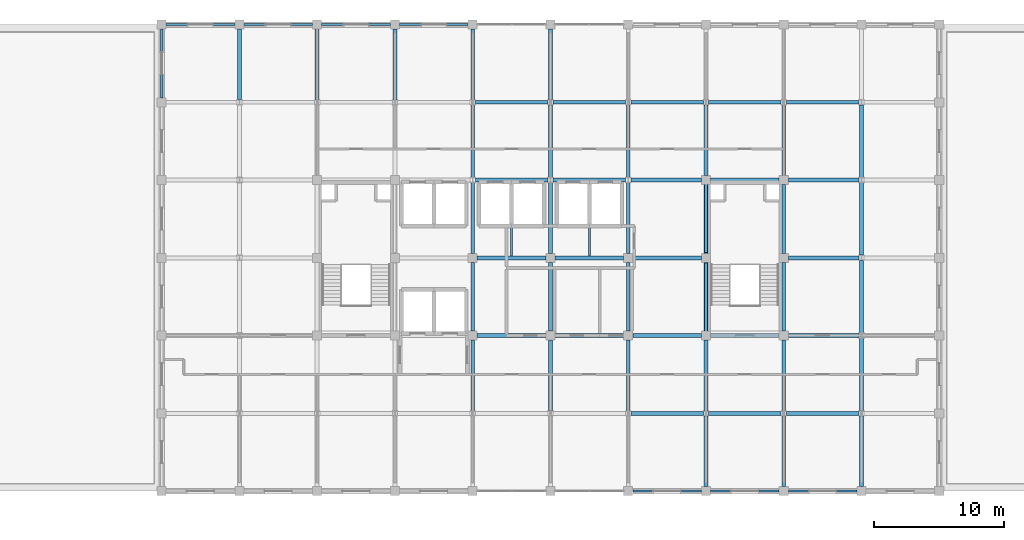
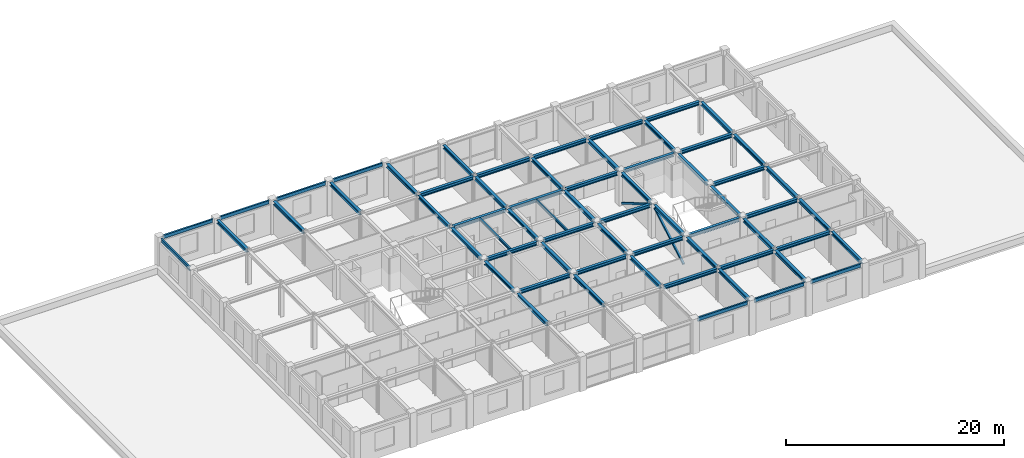
# One storey, part 5 of 13: 64 beams, 2 members.
"""IFC4 building model written with IfcOpenShell, lengths in metres."""

from ifc_helpers import new_model, si_unit, direction, frame, origin, origin_2d, place, context, subcontext, project, spatial, hollow_rectangle, i_section, extrude, material, material_profile, profile_set, type_object, element, save


model = new_model("IFC4")

# Units and contexts
model_context = context("Model", 3, precision=1e-05, world=origin(), true_north=direction((0.0, 1.0)))
body_context = subcontext(model_context, "Body", "Model", "MODEL_VIEW")
ifc_project = project(units=[si_unit("LENGTHUNIT", "METRE"), si_unit("AREAUNIT", "SQUARE_METRE"), si_unit("VOLUMEUNIT", "CUBIC_METRE"), si_unit("PLANEANGLEUNIT", "RADIAN"), si_unit("MASSUNIT", "GRAM", prefix="KILO")], contexts=[model_context])

# Site, building, storey
site_placement = place(None, origin())
site = spatial("IfcSite", under=ifc_project, at=site_placement, CompositionType="ELEMENT")
building_placement = place(site_placement, origin())
building = spatial("IfcBuilding", under=site, at=building_placement, Name="Zlatovratsky Civic Hall", CompositionType="ELEMENT")
storey_placement = place(building_placement, frame((0.0, 0.0, 24.89990234375)))
storey = spatial("IfcBuildingStorey", under=building, at=storey_placement, Name="L06", CompositionType="ELEMENT", Elevation=24.89990234375)

# Beams
ifc_material = material(Name="Steel S355", Category="steel")
ifc_material_profile_1 = material_profile(ifc_material, i_section(OverallWidth=0.169921875, OverallDepth=0.446044921875, WebThickness=0.007568359375, FlangeThickness=0.010986328125, FilletRadius=0.01611328125, at=origin_2d()), Name="45B1")
ifc_profile_set_1 = profile_set([ifc_material_profile_1], Name="Steel S355")
beam_type_1 = type_object("IfcBeamType", Name="Beam_Spandrel_45B1", PredefinedType="SPANDREL", material=ifc_profile_set_1)
for number, where, z_axis, x_axis, name in (
    (1, (90.35009765625, 72.0, 3.51708984375), (1.0, 0.0, 0.0), (0.0, 1.0, 0.0), "BM-4115"),
    (2, (96.35009765625, 72.0, 3.51708984375), (1.0, 0.0, 0.0), (0.0, 1.0, 0.0), "BM-4116"),
    (3, (102.35009765625, 72.0, 3.51708984375), (1.0, 0.0, 0.0), (0.0, 1.0, 0.0), "BM-4117"),
    (4, (54.35009765625, 108.0, 3.51708984375), (1.0, 0.0, 0.0), (0.0, 1.0, 0.0), "BM-4167"),
    (5, (60.35009765625, 108.0, 3.51708984375), (1.0, 0.0, 0.0), (0.0, 1.0, 0.0), "BM-4168"),
    (6, (66.35009765625, 108.0, 3.51708984375), (1.0, 0.0, 0.0), (0.0, 1.0, 0.0), "BM-4169"),
    (7, (72.35009765625, 108.0, 3.51708984375), (1.0, 0.0, 0.0), (0.0, 1.0, 0.0), "BM-4170"),
    (8, (54.0, 102.35009765625, 3.51708984375), (0.0, 1.0, 0.0), (-1.0, 0.0, 0.0), "BM-4182"),
):
    element("IfcBeam", number, at=place(storey_placement, frame(where, z_axis=z_axis, x_axis=x_axis)), inside=storey, type_object=beam_type_1, Name=name, PredefinedType="SPANDREL", context=body_context, shape_type="SweptSolid", body=[
        extrude(i_section(OverallWidth=0.169921875, OverallDepth=0.446044921875, WebThickness=0.007568359375, FlangeThickness=0.010986328125, FilletRadius=0.01611328125, at=origin_2d()), origin(), (0.0, 0.0, 1.0), 5.2998046875),
    ])
ifc_material_profile_2 = material_profile(ifc_material, i_section(OverallWidth=0.300048828125, OverallDepth=0.387939453125, WebThickness=0.009521484375, FlangeThickness=0.013916015625, FilletRadius=0.02197265625, at=origin_2d()), Name="40Sh1")
ifc_profile_set_2 = profile_set([ifc_material_profile_2], Name="Steel S355")
beam_type_2 = type_object("IfcBeamType", Name="Beam_TowerMid_40Sh1", PredefinedType="BEAM", material=ifc_profile_set_2)
for number, where, z_axis, x_axis, name in (
    (9, (90.199951171875, 78.0, 3.546142578125), (1.0, 0.0, 0.0), (0.0, 1.0, 0.0), "BM-4125"),
    (10, (96.199951171875, 78.0, 3.546142578125), (1.0, 0.0, 0.0), (0.0, 1.0, 0.0), "BM-4126"),
    (11, (102.199951171875, 78.0, 3.546142578125), (1.0, 0.0, 0.0), (0.0, 1.0, 0.0), "BM-4127"),
):
    element("IfcBeam", number, at=place(storey_placement, frame(where, z_axis=z_axis, x_axis=x_axis)), inside=storey, type_object=beam_type_2, Name=name, PredefinedType="BEAM", context=body_context, shape_type="SweptSolid", body=[
        extrude(i_section(OverallWidth=0.300048828125, OverallDepth=0.387939453125, WebThickness=0.009521484375, FlangeThickness=0.013916015625, FilletRadius=0.02197265625, at=origin_2d()), origin(), (0.0, 0.0, 1.0), 5.60009765625),
    ])
for number, where, z_axis, x_axis, name in (
    (12, (78.35009765625, 84.0, 3.546142578125), (1.0, 0.0, 0.0), (0.0, 1.0, 0.0), "BM-4133"),
    (13, (84.35009765625, 84.0, 3.546142578125), (1.0, 0.0, 0.0), (0.0, 1.0, 0.0), "BM-4134"),
    (14, (90.35009765625, 84.0, 3.546142578125), (1.0, 0.0, 0.0), (0.0, 1.0, 0.0), "BM-4135"),
    (15, (96.35009765625, 84.0, 3.546142578125), (1.0, 0.0, 0.0), (0.0, 1.0, 0.0), "BM-4136"),
):
    element("IfcBeam", number, at=place(storey_placement, frame(where, z_axis=z_axis, x_axis=x_axis)), inside=storey, type_object=beam_type_2, Name=name, PredefinedType="BEAM", context=body_context, shape_type="SweptSolid", body=[
        extrude(i_section(OverallWidth=0.300048828125, OverallDepth=0.387939453125, WebThickness=0.009521484375, FlangeThickness=0.013916015625, FilletRadius=0.02197265625, at=origin_2d()), origin(), (0.0, 0.0, 1.0), 5.2998046875),
    ])
beam_1_placement = place(storey_placement, frame((102.35009765625, 84.0, 3.546142578125), z_axis=(1.0, 0.0, 0.0), x_axis=(0.0, 1.0, 0.0)))
element("IfcBeam", 16, at=beam_1_placement, inside=storey, type_object=beam_type_2, Name="BM-4137", PredefinedType="BEAM", context=body_context, shape_type="SweptSolid", body=[
    extrude(i_section(OverallWidth=0.300048828125, OverallDepth=0.387939453125, WebThickness=0.009521484375, FlangeThickness=0.013916015625, FilletRadius=0.02197265625, at=origin_2d()), origin(), (0.0, 0.0, 1.0), 5.449951171875),
])
for number, where, z_axis, x_axis, name in (
    (17, (78.35009765625, 90.0, 3.546142578125), (1.0, 0.0, 0.0), (0.0, 1.0, 0.0), "BM-4142"),
    (18, (84.35009765625, 90.0, 3.546142578125), (1.0, 0.0, 0.0), (0.0, 1.0, 0.0), "BM-4143"),
    (19, (90.35009765625, 90.0, 3.546142578125), (1.0, 0.0, 0.0), (0.0, 1.0, 0.0), "BM-4144"),
):
    element("IfcBeam", number, at=place(storey_placement, frame(where, z_axis=z_axis, x_axis=x_axis)), inside=storey, type_object=beam_type_2, Name=name, PredefinedType="BEAM", context=body_context, shape_type="SweptSolid", body=[
        extrude(i_section(OverallWidth=0.300048828125, OverallDepth=0.387939453125, WebThickness=0.009521484375, FlangeThickness=0.013916015625, FilletRadius=0.02197265625, at=origin_2d()), origin(), (0.0, 0.0, 1.0), 5.2998046875),
    ])
beam_2_placement = place(storey_placement, frame((102.35009765625, 90.0, 3.546142578125), z_axis=(1.0, 0.0, 0.0), x_axis=(0.0, 1.0, 0.0)))
element("IfcBeam", 20, at=beam_2_placement, inside=storey, type_object=beam_type_2, Name="BM-4145", PredefinedType="BEAM", context=body_context, shape_type="SweptSolid", body=[
    extrude(i_section(OverallWidth=0.300048828125, OverallDepth=0.387939453125, WebThickness=0.009521484375, FlangeThickness=0.013916015625, FilletRadius=0.02197265625, at=origin_2d()), origin(), (0.0, 0.0, 1.0), 5.449951171875),
])
for number, where, z_axis, x_axis, name in (
    (21, (78.199951171875, 96.0, 3.546142578125), (1.0, 0.0, 0.0), (0.0, 1.0, 0.0), "BM-4151"),
    (22, (84.199951171875, 96.0, 3.546142578125), (1.0, 0.0, 0.0), (0.0, 1.0, 0.0), "BM-4152"),
):
    element("IfcBeam", number, at=place(storey_placement, frame(where, z_axis=z_axis, x_axis=x_axis)), inside=storey, type_object=beam_type_2, Name=name, PredefinedType="BEAM", context=body_context, shape_type="SweptSolid", body=[
        extrude(i_section(OverallWidth=0.300048828125, OverallDepth=0.387939453125, WebThickness=0.009521484375, FlangeThickness=0.013916015625, FilletRadius=0.02197265625, at=origin_2d()), origin(), (0.0, 0.0, 1.0), 5.60009765625),
    ])
beam_3_placement = place(storey_placement, frame((90.199951171875, 96.0, 3.546142578125), z_axis=(1.0, 0.0, 0.0), x_axis=(0.0, 1.0, 0.0)))
element("IfcBeam", 23, at=beam_3_placement, inside=storey, type_object=beam_type_2, Name="BM-4153", PredefinedType="BEAM", context=body_context, shape_type="SweptSolid", body=[
    extrude(i_section(OverallWidth=0.300048828125, OverallDepth=0.387939453125, WebThickness=0.009521484375, FlangeThickness=0.013916015625, FilletRadius=0.02197265625, at=origin_2d()), origin(), (0.0, 0.0, 1.0), 5.449951171875),
])
beam_4_placement = place(storey_placement, frame((96.35009765625, 96.0, 3.546142578125), z_axis=(1.0, 0.0, 0.0), x_axis=(0.0, 1.0, 0.0)))
element("IfcBeam", 24, at=beam_4_placement, inside=storey, type_object=beam_type_2, Name="BM-4154", PredefinedType="BEAM", context=body_context, shape_type="SweptSolid", body=[
    extrude(i_section(OverallWidth=0.300048828125, OverallDepth=0.387939453125, WebThickness=0.009521484375, FlangeThickness=0.013916015625, FilletRadius=0.02197265625, at=origin_2d()), origin(), (0.0, 0.0, 1.0), 5.2998046875),
])
beam_5_placement = place(storey_placement, frame((102.35009765625, 96.0, 3.546142578125), z_axis=(1.0, 0.0, 0.0), x_axis=(0.0, 1.0, 0.0)))
element("IfcBeam", 25, at=beam_5_placement, inside=storey, type_object=beam_type_2, Name="BM-4155", PredefinedType="BEAM", context=body_context, shape_type="SweptSolid", body=[
    extrude(i_section(OverallWidth=0.300048828125, OverallDepth=0.387939453125, WebThickness=0.009521484375, FlangeThickness=0.013916015625, FilletRadius=0.02197265625, at=origin_2d()), origin(), (0.0, 0.0, 1.0), 5.449951171875),
])
for number, where, z_axis, x_axis, name in (
    (26, (78.199951171875, 102.0, 3.546142578125), (1.0, 0.0, 0.0), (0.0, 1.0, 0.0), "BM-4161"),
    (27, (84.199951171875, 102.0, 3.546142578125), (1.0, 0.0, 0.0), (0.0, 1.0, 0.0), "BM-4162"),
    (28, (90.199951171875, 102.0, 3.546142578125), (1.0, 0.0, 0.0), (0.0, 1.0, 0.0), "BM-4163"),
    (29, (96.199951171875, 102.0, 3.546142578125), (1.0, 0.0, 0.0), (0.0, 1.0, 0.0), "BM-4164"),
    (30, (102.199951171875, 102.0, 3.546142578125), (1.0, 0.0, 0.0), (0.0, 1.0, 0.0), "BM-4165"),
):
    element("IfcBeam", number, at=place(storey_placement, frame(where, z_axis=z_axis, x_axis=x_axis)), inside=storey, type_object=beam_type_2, Name=name, PredefinedType="BEAM", context=body_context, shape_type="SweptSolid", body=[
        extrude(i_section(OverallWidth=0.300048828125, OverallDepth=0.387939453125, WebThickness=0.009521484375, FlangeThickness=0.013916015625, FilletRadius=0.02197265625, at=origin_2d()), origin(), (0.0, 0.0, 1.0), 5.60009765625),
    ])
for number, where, z_axis, x_axis, name in (
    (31, (60.0, 102.199951171875, 3.546142578125), (0.0, 1.0, 0.0), (-1.0, 0.0, 0.0), "BM-4188"),
    (32, (66.0, 102.199951171875, 3.546142578125), (0.0, 1.0, 0.0), (-1.0, 0.0, 0.0), "BM-4194"),
    (33, (72.0, 102.199951171875, 3.546142578125), (0.0, 1.0, 0.0), (-1.0, 0.0, 0.0), "BM-4200"),
    (34, (78.0, 78.199951171875, 3.546142578125), (0.0, 1.0, 0.0), (-1.0, 0.0, 0.0), "BM-4202"),
):
    element("IfcBeam", number, at=place(storey_placement, frame(where, z_axis=z_axis, x_axis=x_axis)), inside=storey, type_object=beam_type_2, Name=name, PredefinedType="BEAM", context=body_context, shape_type="SweptSolid", body=[
        extrude(i_section(OverallWidth=0.300048828125, OverallDepth=0.387939453125, WebThickness=0.009521484375, FlangeThickness=0.013916015625, FilletRadius=0.02197265625, at=origin_2d()), origin(), (0.0, 0.0, 1.0), 5.449951171875),
    ])
beam_6_placement = place(storey_placement, frame((78.0, 84.35009765625, 3.546142578125), z_axis=(0.0, 1.0, 0.0), x_axis=(-1.0, 0.0, 0.0)))
element("IfcBeam", 35, at=beam_6_placement, inside=storey, type_object=beam_type_2, Name="BM-4203", PredefinedType="BEAM", context=body_context, shape_type="SweptSolid", body=[
    extrude(i_section(OverallWidth=0.300048828125, OverallDepth=0.387939453125, WebThickness=0.009521484375, FlangeThickness=0.013916015625, FilletRadius=0.02197265625, at=origin_2d()), origin(), (0.0, 0.0, 1.0), 5.2998046875),
])
beam_7_placement = place(storey_placement, frame((78.0, 90.35009765625, 3.546142578125), z_axis=(0.0, 1.0, 0.0), x_axis=(-1.0, 0.0, 0.0)))
element("IfcBeam", 36, at=beam_7_placement, inside=storey, type_object=beam_type_2, Name="BM-4204", PredefinedType="BEAM", context=body_context, shape_type="SweptSolid", body=[
    extrude(i_section(OverallWidth=0.300048828125, OverallDepth=0.387939453125, WebThickness=0.009521484375, FlangeThickness=0.013916015625, FilletRadius=0.02197265625, at=origin_2d()), origin(), (0.0, 0.0, 1.0), 5.449951171875),
])
beam_8_placement = place(storey_placement, frame((78.0, 96.199951171875, 3.546142578125), z_axis=(0.0, 1.0, 0.0), x_axis=(-1.0, 0.0, 0.0)))
element("IfcBeam", 37, at=beam_8_placement, inside=storey, type_object=beam_type_2, Name="BM-4205", PredefinedType="BEAM", context=body_context, shape_type="SweptSolid", body=[
    extrude(i_section(OverallWidth=0.300048828125, OverallDepth=0.387939453125, WebThickness=0.009521484375, FlangeThickness=0.013916015625, FilletRadius=0.02197265625, at=origin_2d()), origin(), (0.0, 0.0, 1.0), 5.60009765625),
])
for number, where, z_axis, x_axis, name in (
    (38, (78.0, 102.199951171875, 3.546142578125), (0.0, 1.0, 0.0), (-1.0, 0.0, 0.0), "BM-4206"),
    (39, (84.0, 78.199951171875, 3.546142578125), (0.0, 1.0, 0.0), (-1.0, 0.0, 0.0), "BM-4208"),
):
    element("IfcBeam", number, at=place(storey_placement, frame(where, z_axis=z_axis, x_axis=x_axis)), inside=storey, type_object=beam_type_2, Name=name, PredefinedType="BEAM", context=body_context, shape_type="SweptSolid", body=[
        extrude(i_section(OverallWidth=0.300048828125, OverallDepth=0.387939453125, WebThickness=0.009521484375, FlangeThickness=0.013916015625, FilletRadius=0.02197265625, at=origin_2d()), origin(), (0.0, 0.0, 1.0), 5.449951171875),
    ])
beam_9_placement = place(storey_placement, frame((84.0, 84.35009765625, 3.546142578125), z_axis=(0.0, 1.0, 0.0), x_axis=(-1.0, 0.0, 0.0)))
element("IfcBeam", 40, at=beam_9_placement, inside=storey, type_object=beam_type_2, Name="BM-4209", PredefinedType="BEAM", context=body_context, shape_type="SweptSolid", body=[
    extrude(i_section(OverallWidth=0.300048828125, OverallDepth=0.387939453125, WebThickness=0.009521484375, FlangeThickness=0.013916015625, FilletRadius=0.02197265625, at=origin_2d()), origin(), (0.0, 0.0, 1.0), 5.2998046875),
])
beam_10_placement = place(storey_placement, frame((84.0, 90.35009765625, 3.546142578125), z_axis=(0.0, 1.0, 0.0), x_axis=(-1.0, 0.0, 0.0)))
element("IfcBeam", 41, at=beam_10_placement, inside=storey, type_object=beam_type_2, Name="BM-4210", PredefinedType="BEAM", context=body_context, shape_type="SweptSolid", body=[
    extrude(i_section(OverallWidth=0.300048828125, OverallDepth=0.387939453125, WebThickness=0.009521484375, FlangeThickness=0.013916015625, FilletRadius=0.02197265625, at=origin_2d()), origin(), (0.0, 0.0, 1.0), 5.449951171875),
])
beam_11_placement = place(storey_placement, frame((84.0, 96.199951171875, 3.546142578125), z_axis=(0.0, 1.0, 0.0), x_axis=(-1.0, 0.0, 0.0)))
element("IfcBeam", 42, at=beam_11_placement, inside=storey, type_object=beam_type_2, Name="BM-4211", PredefinedType="BEAM", context=body_context, shape_type="SweptSolid", body=[
    extrude(i_section(OverallWidth=0.300048828125, OverallDepth=0.387939453125, WebThickness=0.009521484375, FlangeThickness=0.013916015625, FilletRadius=0.02197265625, at=origin_2d()), origin(), (0.0, 0.0, 1.0), 5.60009765625),
])
for number, where, z_axis, x_axis, name in (
    (43, (84.0, 102.199951171875, 3.546142578125), (0.0, 1.0, 0.0), (-1.0, 0.0, 0.0), "BM-4212"),
    (44, (90.0, 78.199951171875, 3.546142578125), (0.0, 1.0, 0.0), (-1.0, 0.0, 0.0), "BM-4214"),
):
    element("IfcBeam", number, at=place(storey_placement, frame(where, z_axis=z_axis, x_axis=x_axis)), inside=storey, type_object=beam_type_2, Name=name, PredefinedType="BEAM", context=body_context, shape_type="SweptSolid", body=[
        extrude(i_section(OverallWidth=0.300048828125, OverallDepth=0.387939453125, WebThickness=0.009521484375, FlangeThickness=0.013916015625, FilletRadius=0.02197265625, at=origin_2d()), origin(), (0.0, 0.0, 1.0), 5.449951171875),
    ])
beam_12_placement = place(storey_placement, frame((90.0, 84.35009765625, 3.546142578125), z_axis=(0.0, 1.0, 0.0), x_axis=(-1.0, 0.0, 0.0)))
element("IfcBeam", 45, at=beam_12_placement, inside=storey, type_object=beam_type_2, Name="BM-4215", PredefinedType="BEAM", context=body_context, shape_type="SweptSolid", body=[
    extrude(i_section(OverallWidth=0.300048828125, OverallDepth=0.387939453125, WebThickness=0.009521484375, FlangeThickness=0.013916015625, FilletRadius=0.02197265625, at=origin_2d()), origin(), (0.0, 0.0, 1.0), 5.2998046875),
])
beam_13_placement = place(storey_placement, frame((90.0, 90.35009765625, 3.546142578125), z_axis=(0.0, 1.0, 0.0), x_axis=(-1.0, 0.0, 0.0)))
element("IfcBeam", 46, at=beam_13_placement, inside=storey, type_object=beam_type_2, Name="BM-4216", PredefinedType="BEAM", context=body_context, shape_type="SweptSolid", body=[
    extrude(i_section(OverallWidth=0.300048828125, OverallDepth=0.387939453125, WebThickness=0.009521484375, FlangeThickness=0.013916015625, FilletRadius=0.02197265625, at=origin_2d()), origin(), (0.0, 0.0, 1.0), 5.449951171875),
])
beam_14_placement = place(storey_placement, frame((90.0, 96.199951171875, 3.546142578125), z_axis=(0.0, 1.0, 0.0), x_axis=(-1.0, 0.0, 0.0)))
element("IfcBeam", 47, at=beam_14_placement, inside=storey, type_object=beam_type_2, Name="BM-4217", PredefinedType="BEAM", context=body_context, shape_type="SweptSolid", body=[
    extrude(i_section(OverallWidth=0.300048828125, OverallDepth=0.387939453125, WebThickness=0.009521484375, FlangeThickness=0.013916015625, FilletRadius=0.02197265625, at=origin_2d()), origin(), (0.0, 0.0, 1.0), 5.60009765625),
])
for number, where, z_axis, x_axis, name in (
    (48, (96.0, 72.35009765625, 3.546142578125), (0.0, 1.0, 0.0), (-1.0, 0.0, 0.0), "BM-4219"),
    (49, (96.0, 78.199951171875, 3.546142578125), (0.0, 1.0, 0.0), (-1.0, 0.0, 0.0), "BM-4220"),
):
    element("IfcBeam", number, at=place(storey_placement, frame(where, z_axis=z_axis, x_axis=x_axis)), inside=storey, type_object=beam_type_2, Name=name, PredefinedType="BEAM", context=body_context, shape_type="SweptSolid", body=[
        extrude(i_section(OverallWidth=0.300048828125, OverallDepth=0.387939453125, WebThickness=0.009521484375, FlangeThickness=0.013916015625, FilletRadius=0.02197265625, at=origin_2d()), origin(), (0.0, 0.0, 1.0), 5.449951171875),
    ])
for number, where, z_axis, x_axis, name in (
    (50, (96.0, 84.35009765625, 3.546142578125), (0.0, 1.0, 0.0), (-1.0, 0.0, 0.0), "BM-4221"),
    (51, (96.0, 90.35009765625, 3.546142578125), (0.0, 1.0, 0.0), (-1.0, 0.0, 0.0), "BM-4222"),
):
    element("IfcBeam", number, at=place(storey_placement, frame(where, z_axis=z_axis, x_axis=x_axis)), inside=storey, type_object=beam_type_2, Name=name, PredefinedType="BEAM", context=body_context, shape_type="SweptSolid", body=[
        extrude(i_section(OverallWidth=0.300048828125, OverallDepth=0.387939453125, WebThickness=0.009521484375, FlangeThickness=0.013916015625, FilletRadius=0.02197265625, at=origin_2d()), origin(), (0.0, 0.0, 1.0), 5.2998046875),
    ])
for number, where, z_axis, x_axis, name in (
    (52, (96.0, 96.35009765625, 3.546142578125), (0.0, 1.0, 0.0), (-1.0, 0.0, 0.0), "BM-4223"),
    (53, (102.0, 72.35009765625, 3.546142578125), (0.0, 1.0, 0.0), (-1.0, 0.0, 0.0), "BM-4225"),
    (54, (102.0, 78.199951171875, 3.546142578125), (0.0, 1.0, 0.0), (-1.0, 0.0, 0.0), "BM-4226"),
):
    element("IfcBeam", number, at=place(storey_placement, frame(where, z_axis=z_axis, x_axis=x_axis)), inside=storey, type_object=beam_type_2, Name=name, PredefinedType="BEAM", context=body_context, shape_type="SweptSolid", body=[
        extrude(i_section(OverallWidth=0.300048828125, OverallDepth=0.387939453125, WebThickness=0.009521484375, FlangeThickness=0.013916015625, FilletRadius=0.02197265625, at=origin_2d()), origin(), (0.0, 0.0, 1.0), 5.449951171875),
    ])
for number, where, z_axis, x_axis, name in (
    (55, (102.0, 84.35009765625, 3.546142578125), (0.0, 1.0, 0.0), (-1.0, 0.0, 0.0), "BM-4227"),
    (56, (102.0, 90.35009765625, 3.546142578125), (0.0, 1.0, 0.0), (-1.0, 0.0, 0.0), "BM-4228"),
):
    element("IfcBeam", number, at=place(storey_placement, frame(where, z_axis=z_axis, x_axis=x_axis)), inside=storey, type_object=beam_type_2, Name=name, PredefinedType="BEAM", context=body_context, shape_type="SweptSolid", body=[
        extrude(i_section(OverallWidth=0.300048828125, OverallDepth=0.387939453125, WebThickness=0.009521484375, FlangeThickness=0.013916015625, FilletRadius=0.02197265625, at=origin_2d()), origin(), (0.0, 0.0, 1.0), 5.2998046875),
    ])
for number, where, z_axis, x_axis, name in (
    (57, (102.0, 96.35009765625, 3.546142578125), (0.0, 1.0, 0.0), (-1.0, 0.0, 0.0), "BM-4229"),
    (58, (108.0, 72.35009765625, 3.546142578125), (0.0, 1.0, 0.0), (-1.0, 0.0, 0.0), "BM-4231"),
):
    element("IfcBeam", number, at=place(storey_placement, frame(where, z_axis=z_axis, x_axis=x_axis)), inside=storey, type_object=beam_type_2, Name=name, PredefinedType="BEAM", context=body_context, shape_type="SweptSolid", body=[
        extrude(i_section(OverallWidth=0.300048828125, OverallDepth=0.387939453125, WebThickness=0.009521484375, FlangeThickness=0.013916015625, FilletRadius=0.02197265625, at=origin_2d()), origin(), (0.0, 0.0, 1.0), 5.449951171875),
    ])
for number, where, z_axis, x_axis, name in (
    (59, (108.0, 78.199951171875, 3.546142578125), (0.0, 1.0, 0.0), (-1.0, 0.0, 0.0), "BM-4232"),
    (60, (108.0, 84.199951171875, 3.546142578125), (0.0, 1.0, 0.0), (-1.0, 0.0, 0.0), "BM-4233"),
    (61, (108.0, 90.199951171875, 3.546142578125), (0.0, 1.0, 0.0), (-1.0, 0.0, 0.0), "BM-4234"),
    (62, (108.0, 96.199951171875, 3.546142578125), (0.0, 1.0, 0.0), (-1.0, 0.0, 0.0), "BM-4235"),
):
    element("IfcBeam", number, at=place(storey_placement, frame(where, z_axis=z_axis, x_axis=x_axis)), inside=storey, type_object=beam_type_2, Name=name, PredefinedType="BEAM", context=body_context, shape_type="SweptSolid", body=[
        extrude(i_section(OverallWidth=0.300048828125, OverallDepth=0.387939453125, WebThickness=0.009521484375, FlangeThickness=0.013916015625, FilletRadius=0.02197265625, at=origin_2d()), origin(), (0.0, 0.0, 1.0), 5.60009765625),
    ])

# Members
ifc_material_profile_3 = material_profile(ifc_material, hollow_rectangle(XDim=0.199951171875, YDim=0.199951171875, WallThickness=0.010009765625, at=origin_2d()), Name="SHS 200x200x10")
ifc_profile_set_3 = profile_set([ifc_material_profile_3], Name="Steel S355")
member_type = type_object("IfcMemberType", Name="Brace_TowerLow_SHS200", PredefinedType="BRACE", material=ifc_profile_set_3)
for number, where, z_axis, x_axis, name in (
    (63, (96.0, 84.35009765625, 0.25), (0.0, 0.863172562464, 0.504909028845), (-1.0, 0.0, 0.0), "MB-0130"),
    (64, (96.0, 90.35009765625, 3.35009765625), (0.0, 0.863172562464, -0.504909028845), (-1.0, 0.0, 0.0), "MB-0131"),
):
    element("IfcMember", number, at=place(storey_placement, frame(where, z_axis=z_axis, x_axis=x_axis)), inside=storey, type_object=member_type, Name=name, PredefinedType="BRACE", context=body_context, shape_type="SweptSolid", body=[
        extrude(hollow_rectangle(XDim=0.199951171875, YDim=0.199951171875, WallThickness=0.010009765625, at=origin_2d()), origin(), (0.0, 0.0, 1.0), 6.139892578125),
    ])

# Beams
ifc_material_profile_4 = material_profile(ifc_material, i_section(OverallWidth=0.14892578125, OverallDepth=0.2958984375, WebThickness=0.005615234375, FlangeThickness=0.008056640625, FilletRadius=0.012939453125, at=origin_2d()), Name="30B1")
ifc_profile_set_4 = profile_set([ifc_material_profile_4], Name="Steel S355")
beam_type_3 = type_object("IfcBeamType", Name="Joist_Tower_30B1", PredefinedType="JOIST", material=ifc_profile_set_4)
for number, where, z_axis, x_axis, name in (
    (65, (81.0, 90.14990234375, 3.592041015625), (0.0, 1.0, 0.0), (-1.0, 0.0, 0.0), "BM-4243"),
    (66, (87.0, 90.14990234375, 3.592041015625), (0.0, 1.0, 0.0), (-1.0, 0.0, 0.0), "BM-4244"),
):
    element("IfcBeam", number, at=place(storey_placement, frame(where, z_axis=z_axis, x_axis=x_axis)), inside=storey, type_object=beam_type_3, Name=name, PredefinedType="JOIST", context=body_context, shape_type="SweptSolid", body=[
        extrude(i_section(OverallWidth=0.14892578125, OverallDepth=0.2958984375, WebThickness=0.005615234375, FlangeThickness=0.008056640625, FilletRadius=0.012939453125, at=origin_2d()), origin(), (0.0, 0.0, 1.0), 5.7001953125),
    ])

save(model, "model.ifc")
